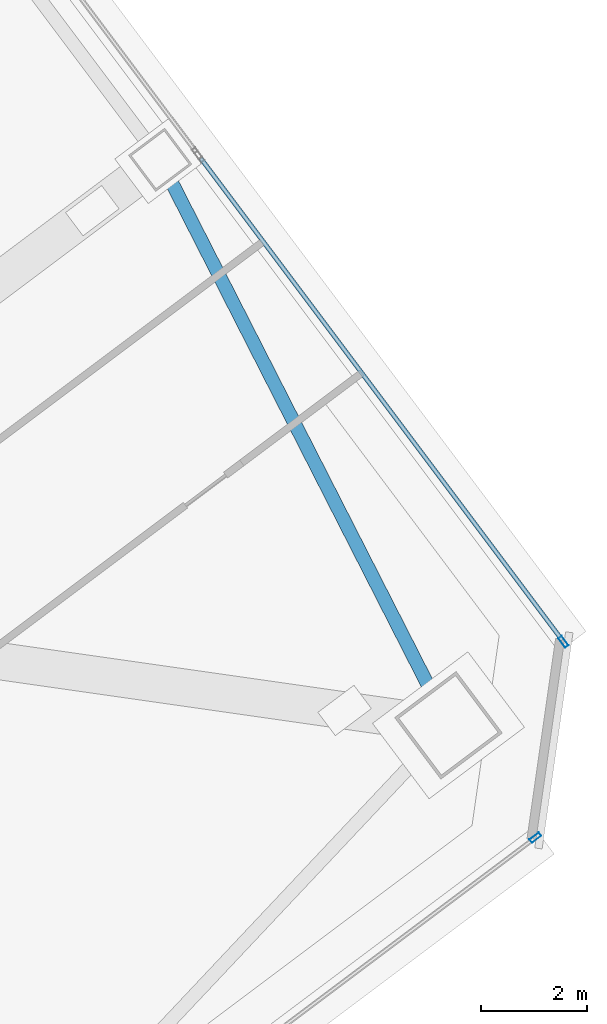
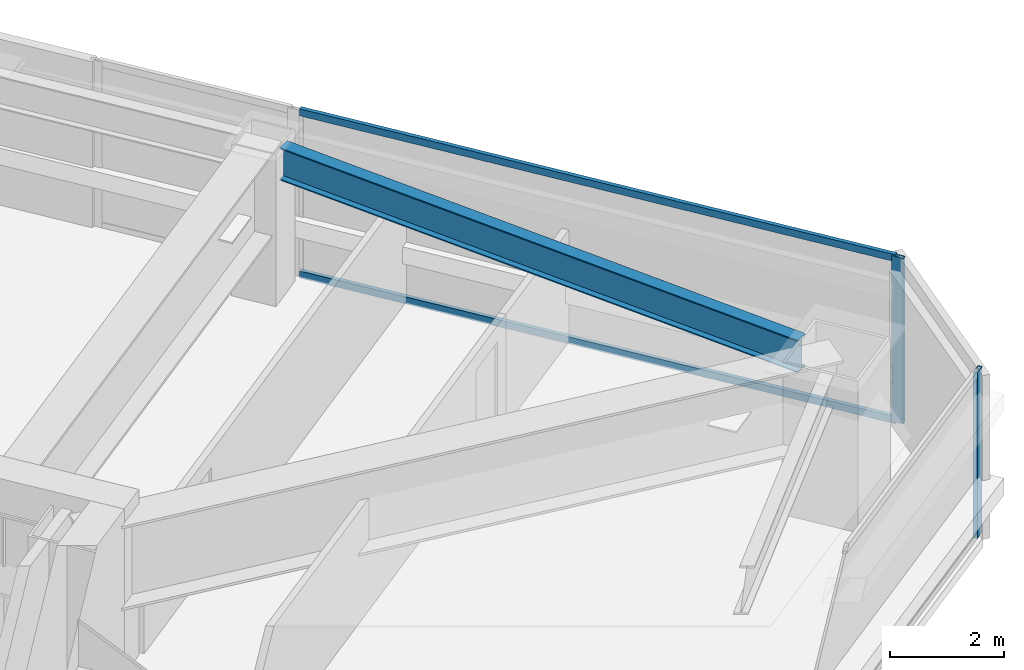
# One storey, part 28 of 49: 4 members, 1 beam, 2 elements without a shape of their own.
"""IFC4 building model written with IfcOpenShell, lengths in metres."""

from ifc_helpers import new_model, si_unit, direction, frame, origin, origin_2d, place, context, subcontext, project, spatial, hollow_rectangle, i_section, extrude, material, material_profile, profile_set, type_object, element, aggregate, save


model = new_model("IFC4")

# Units and contexts
model_context = context("Model", 3, precision=1e-05, world=origin(), true_north=direction((0.0, 1.0)))
body_context = subcontext(model_context, "Body", "Model", "MODEL_VIEW")
ifc_project = project(units=[si_unit("LENGTHUNIT", "METRE"), si_unit("AREAUNIT", "SQUARE_METRE"), si_unit("VOLUMEUNIT", "CUBIC_METRE"), si_unit("PLANEANGLEUNIT", "RADIAN"), si_unit("MASSUNIT", "GRAM", prefix="KILO")], contexts=[model_context])

# Site, building, storey
site_placement = place(None, origin())
site = spatial("IfcSite", under=ifc_project, at=site_placement, CompositionType="ELEMENT")
building_placement = place(site_placement, origin())
building = spatial("IfcBuilding", under=site, at=building_placement, Name="Tashvorn Skyway Center", CompositionType="ELEMENT")
storey_placement = place(building_placement, frame((0.0, 0.0, 106.25)))
storey = spatial("IfcBuildingStorey", under=building, at=storey_placement, Name="L28", CompositionType="ELEMENT", Elevation=106.25)

# Beam
ifc_material_1 = material(Name="Steel ASTM A992 Grade 50", Category="steel")
ifc_material_profile_1 = material_profile(ifc_material_1, i_section(OverallWidth=0.256103515625, OverallDepth=0.693115234375, WebThickness=0.014404296875, FlangeThickness=0.023681640625, at=origin_2d()), Name="W27X114")
ifc_profile_set_1 = profile_set([ifc_material_profile_1], Name="Steel ASTM A992 Grade 50")
beam_type = type_object("IfcBeamType", Name="BM-SPANDREL-W27X114", PredefinedType="SPANDREL", material=ifc_profile_set_1)
beam_placement = place(storey_placement, frame((137.7529296875, 29.201416015625, 2.903564453125), z_axis=(-0.454210938961, 0.890894170442, 0.0), x_axis=(-0.890894170442, -0.454210938961, 0.0)))
element("IfcBeam", 1, at=beam_placement, inside=storey, type_object=beam_type, Name="Tower 2 L28 Spandrel Beam 04", PredefinedType="SPANDREL", context=body_context, shape_type="SweptSolid", body=[
    extrude(i_section(OverallWidth=0.256103515625, OverallDepth=0.693115234375, WebThickness=0.014404296875, FlangeThickness=0.023681640625, at=origin_2d()), origin(), (0.0, 0.0, 1.0), 10.836669921875),
])

# Curtain wall, member
ifc_material_2 = material(Name="Thermally broken bronze-anodized aluminium 6063-T6", Category="aluminium")
curtain_wall_type = type_object("IfcCurtainWallType", Name="CW-CW-Z2", PredefinedType="NOTDEFINED", material=ifc_material_2)
curtain_wall_1_placement = place(storey_placement, origin())
curtain_wall_1 = element("IfcCurtainWall", 2, at=curtain_wall_1_placement, inside=storey, type_object=curtain_wall_type, Name="Tower 2 L28 South Curtain Wall L", PredefinedType="NOTDEFINED")
ifc_material_profile_2 = material_profile(ifc_material_2, hollow_rectangle(XDim=0.080078125, YDim=0.219970703125, WallThickness=0.0048828125, at=origin_2d()), Name="ALU-MULL-80x220")
ifc_profile_set_2 = profile_set([ifc_material_profile_2], Name="Thermally broken bronze-anodized aluminium 6063-T6")
member_type_1 = type_object("IfcMemberType", Name="CWM-CW-Z2", PredefinedType="MULLION", material=ifc_profile_set_2)
member_1_placement = place(storey_placement, frame((139.719970703125, 26.43994140625, 0.0), z_axis=(0.0, 0.0, 1.0), x_axis=(0.600000000002, -0.799999999998, 0.0)))
member_1 = element("IfcMember", 3, at=member_1_placement, type_object=member_type_1, Name="CW-Z2 mullion 1", PredefinedType="MULLION", context=body_context, shape_type="SweptSolid", body=[
    extrude(hollow_rectangle(XDim=0.080078125, YDim=0.219970703125, WallThickness=0.0048828125, at=origin_2d()), origin(), (0.0, 0.0, 1.0), 3.550048828125),
])
aggregate(curtain_wall_1, [member_1])

# Curtain wall, members
curtain_wall_2_placement = place(storey_placement, origin())
curtain_wall_2 = element("IfcCurtainWall", 4, at=curtain_wall_2_placement, inside=storey, type_object=curtain_wall_type, Name="Tower 2 L28 East Unitised Curtain Wall Glazing Group 4", PredefinedType="NOTDEFINED")
member_2_placement = place(storey_placement, frame((140.248046875, 30.135986328125, 0.0), z_axis=(0.0, 0.0, 1.0), x_axis=(0.799999999998, 0.600000000002, 0.0)))
member_2 = element("IfcMember", 5, at=member_2_placement, type_object=member_type_1, Name="CW-Z2 mullion 2", PredefinedType="MULLION", context=body_context, shape_type="SweptSolid", body=[
    extrude(hollow_rectangle(XDim=0.080078125, YDim=0.219970703125, WallThickness=0.0048828125, at=origin_2d()), origin(), (0.0, 0.0, 1.0), 3.550048828125),
])
ifc_material_profile_3 = material_profile(ifc_material_2, hollow_rectangle(XDim=0.080078125, YDim=0.14990234375, WallThickness=0.00439453125, at=origin_2d()), Name="ALU-TRAN-80x150")
ifc_profile_set_3 = profile_set([ifc_material_profile_3], Name="Thermally broken bronze-anodized aluminium 6063-T6")
member_type_2 = type_object("IfcMemberType", Name="CWT-CW-Z2", PredefinedType="USERDEFINED", material=ifc_profile_set_3)
member_3_placement = place(storey_placement, frame((133.407958984375, 39.256103515625, 0.0400390625), z_axis=(0.600003438533, -0.799997421089, 0.0), x_axis=(0.799997421089, 0.600003438533, 0.0)))
member_3 = element("IfcMember", 6, at=member_3_placement, type_object=member_type_2, Name="CW-Z2 transom 1.1", ObjectType="TRANSOM", PredefinedType="USERDEFINED", context=body_context, shape_type="SweptSolid", body=[
    extrude(hollow_rectangle(XDim=0.080078125, YDim=0.14990234375, WallThickness=0.00439453125, at=origin_2d()), origin(), (0.0, 0.0, 1.0), 11.360107421875),
])
member_4_placement = place(storey_placement, frame((133.407958984375, 39.256103515625, 3.510009765625), z_axis=(0.600003438533, -0.799997421089, 0.0), x_axis=(0.799997421089, 0.600003438533, 0.0)))
member_4 = element("IfcMember", 7, at=member_4_placement, type_object=member_type_2, Name="CW-Z2 transom 1.2", ObjectType="TRANSOM", PredefinedType="USERDEFINED", context=body_context, shape_type="SweptSolid", body=[
    extrude(hollow_rectangle(XDim=0.080078125, YDim=0.14990234375, WallThickness=0.00439453125, at=origin_2d()), origin(), (0.0, 0.0, 1.0), 11.360107421875),
])
aggregate(curtain_wall_2, [member_2, member_3, member_4])

save(model, "model.ifc")
